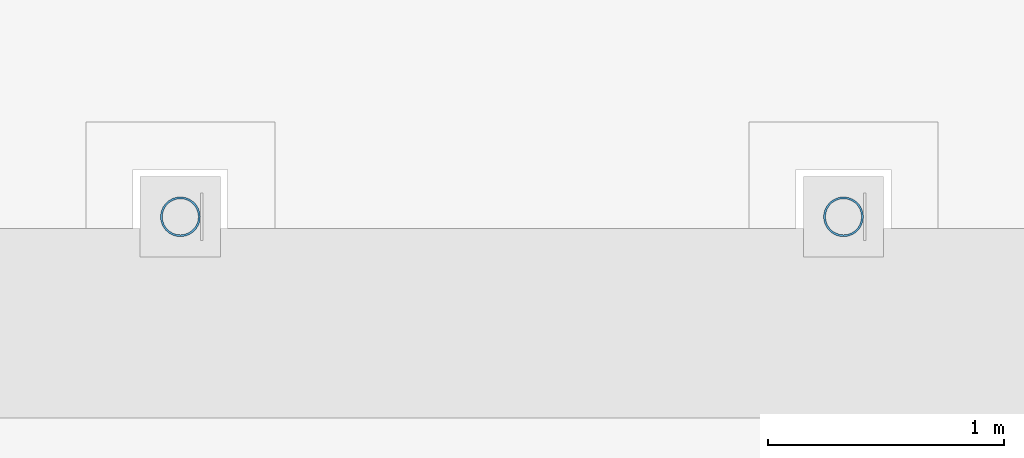
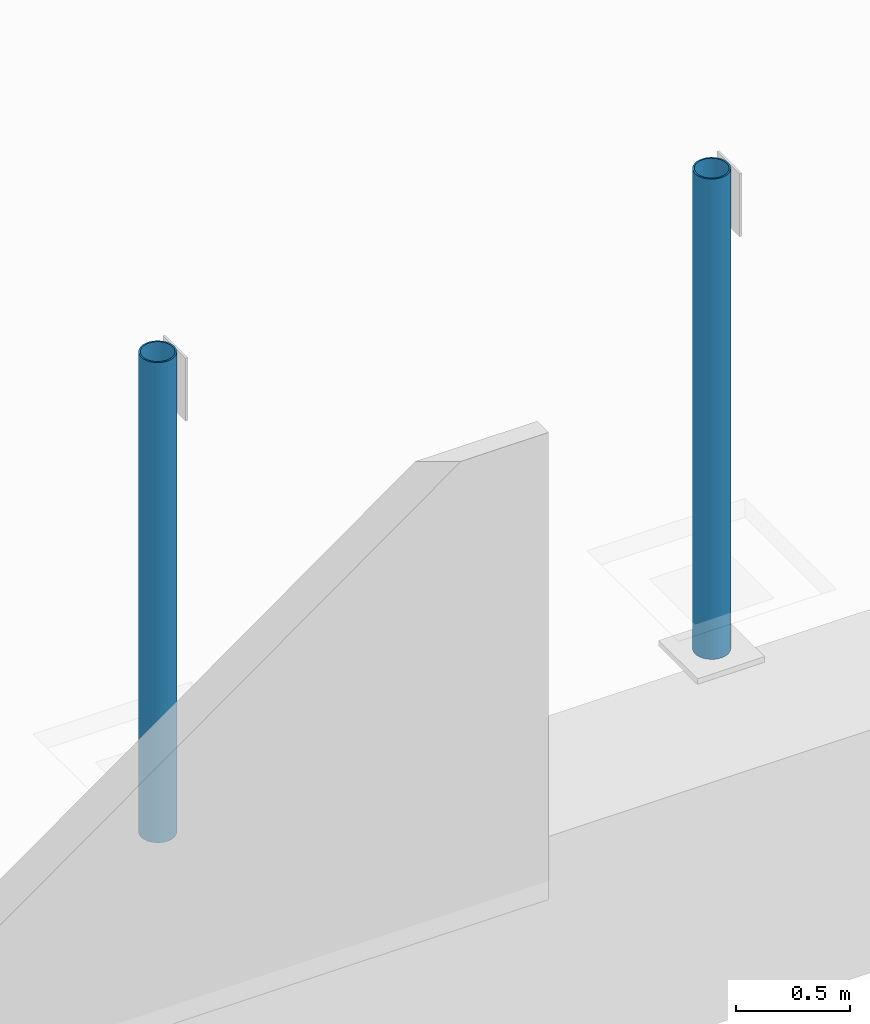
# One storey, part 7 of 47: 2 members.
"""IFC4 building model written with IfcOpenShell, lengths in metres."""

from ifc_helpers import new_model, si_unit, direction, frame, origin, origin_2d, place, context, subcontext, project, spatial, hollow_circle, extrude, material, material_profile, profile_set, type_object, element, save


model = new_model("IFC4")

# Units and contexts
model_context = context("Model", 3, precision=1e-05, world=origin(), true_north=direction((0.0, 1.0)))
body_context = subcontext(model_context, "Body", "Model", "MODEL_VIEW")
ifc_project = project(units=[si_unit("LENGTHUNIT", "METRE"), si_unit("AREAUNIT", "SQUARE_METRE"), si_unit("VOLUMEUNIT", "CUBIC_METRE"), si_unit("PLANEANGLEUNIT", "RADIAN"), si_unit("MASSUNIT", "GRAM", prefix="KILO")], contexts=[model_context])

# Site, building, storey
site_placement = place(None, origin())
site = spatial("IfcSite", under=ifc_project, at=site_placement, CompositionType="ELEMENT")
building_placement = place(site_placement, origin())
building = spatial("IfcBuilding", under=site, at=building_placement, Name="Larchfold Concert Hall", CompositionType="ELEMENT")
storey_placement = place(building_placement, frame((0.0, 0.0, 24.0)))
storey = spatial("IfcBuildingStorey", under=building, at=storey_placement, Name="L05", CompositionType="ELEMENT", Elevation=24.0)

# Members
ifc_material = material(Name="Steel S355J2H", Category="steel")
ifc_material_profile = material_profile(ifc_material, hollow_circle(Radius=0.084228515625, WallThickness=0.008056640625, at=origin_2d()))
ifc_profile_set = profile_set([ifc_material_profile], Name="Steel S355J2H")
member_type = type_object("IfcMemberType", Name="Truss post CHS 168.3x8", PredefinedType="POST", material=ifc_profile_set)
for number, where, z_axis, x_axis, name in (
    (1, (44.002197265625, 76.650146484375, 2.080078125), (0.0, 0.0, 1.0), (1.0, 0.0, 0.0), "Member TP016"),
    (2, (46.806396484375, 76.650146484375, 2.080078125), (0.0, 0.0, 1.0), (1.0, 0.0, 0.0), "Member TP017"),
):
    element("IfcMember", number, at=place(storey_placement, frame(where, z_axis=z_axis, x_axis=x_axis)), inside=storey, type_object=member_type, Name=name, PredefinedType="POST", context=body_context, shape_type="SweptSolid", body=[
        extrude(hollow_circle(Radius=0.084228515625, WallThickness=0.008056640625, at=origin_2d()), origin(), (0.0, 0.0, 1.0), 2.570068359375),
    ])

save(model, "model.ifc")
